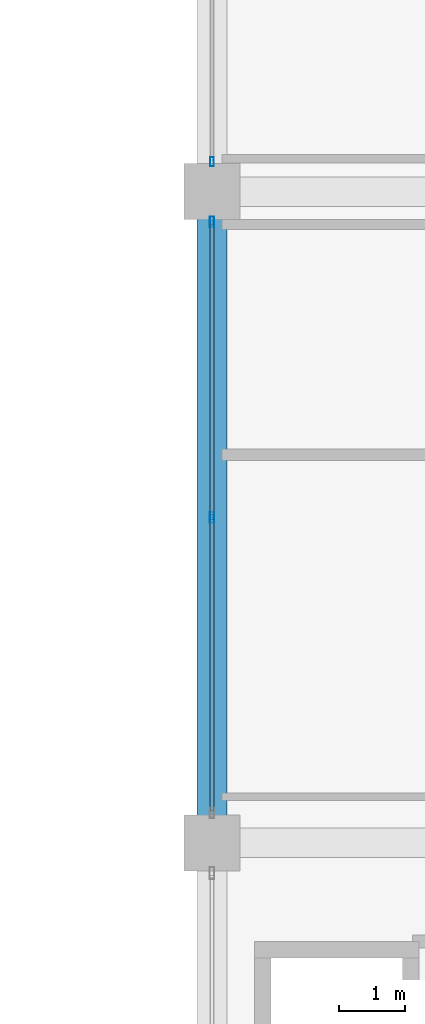
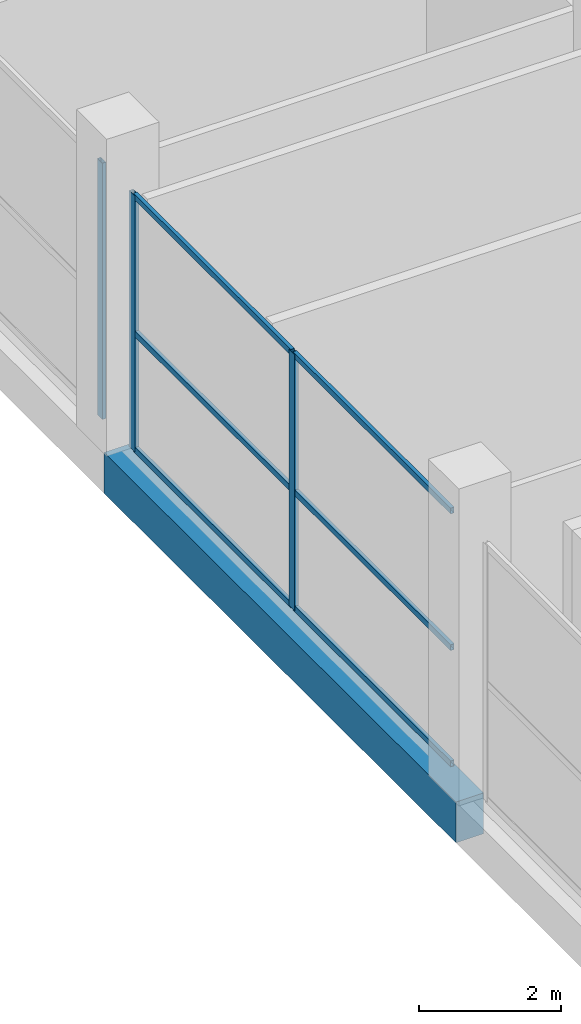
# One storey, part 5 of 74: 9 members, 1 beam, 2 elements without a shape of their own.
"""IFC4 building model written with IfcOpenShell, lengths in metres."""

from ifc_helpers import new_model, si_unit, direction, frame, origin, origin_2d, place, context, subcontext, project, spatial, rectangle, hollow_rectangle, extrude, material, layer, layer_set, material_profile, profile_set, type_object, element, aggregate, save


model = new_model("IFC4")

# Units and contexts
model_context = context("Model", 3, precision=1e-05, world=origin(), true_north=direction((0.0, 1.0)))
body_context = subcontext(model_context, "Body", "Model", "MODEL_VIEW")
ifc_project = project(units=[si_unit("LENGTHUNIT", "METRE"), si_unit("AREAUNIT", "SQUARE_METRE"), si_unit("VOLUMEUNIT", "CUBIC_METRE"), si_unit("PLANEANGLEUNIT", "RADIAN"), si_unit("MASSUNIT", "GRAM", prefix="KILO")], contexts=[model_context])

# Site, building, storey
site_placement = place(None, origin())
site = spatial("IfcSite", under=ifc_project, at=site_placement, CompositionType="ELEMENT")
building_placement = place(site_placement, origin())
building = spatial("IfcBuilding", under=site, at=building_placement, Name="Sillaruma Civic Art Gallery", CompositionType="ELEMENT")
storey_placement = place(building_placement, frame((0.0, 0.0, 5.43994140625)))
storey = spatial("IfcBuildingStorey", under=building, at=storey_placement, Name="L01", CompositionType="ELEMENT", Elevation=5.43994140625)

# Beam
ifc_material_1 = material(Name="Concrete H35 (35 MPa)", Category="concrete")
ifc_material_profile_1 = material_profile(ifc_material_1, rectangle(XDim=0.449951171875, YDim=0.699951171875, at=origin_2d()), Name="RCB450x700")
ifc_profile_set_1 = profile_set([ifc_material_profile_1], Name="Concrete H35 (35 MPa)")
beam_type = type_object("IfcBeamType", Name="BM-SPANDREL-RCB450x700", PredefinedType="SPANDREL", material=ifc_profile_set_1)
beam_placement = place(storey_placement, frame((62.0, 49.5, -0.60986328125), z_axis=(0.0, 1.0, 0.0), x_axis=(-1.0, 0.0, 0.0)))
element("IfcBeam", 1, at=beam_placement, inside=storey, type_object=beam_type, Name="Beam BS-03 (L00:F:6-7)", PredefinedType="SPANDREL", context=body_context, shape_type="SweptSolid", body=[
    extrude(rectangle(XDim=0.449951171875, YDim=0.699951171875, at=origin_2d()), origin(), (0.0, 0.0, 1.0), 9.89990234375),
])

# Curtain wall, member
ifc_material_2 = material(Name="Thermally Broken Extruded Aluminium 6063-T6", Category="aluminium")
ifc_layer_1 = layer(ifc_material_2, 0.139892578125, Name="Thermally Broken Extruded Aluminium 6063-T6")
ifc_layer_set_1 = layer_set([ifc_layer_1], Name="Thermally Broken Extruded Aluminium 6063-T6")
curtain_wall_type_1 = type_object("IfcCurtainWallType", Name="CW-UNI-05", PredefinedType="NOTDEFINED", material=ifc_layer_set_1)
curtain_wall_1_placement = place(storey_placement, origin())
curtain_wall_1 = element("IfcCurtainWall", 2, at=curtain_wall_1_placement, inside=storey, type_object=curtain_wall_type_1, Name="Unitised Curtain Wall CW-05 (CW-L01-SPW-5)", PredefinedType="NOTDEFINED")
ifc_material_profile_2 = material_profile(ifc_material_2, hollow_rectangle(XDim=0.06005859375, YDim=0.139892578125, WallThickness=0.00341796875, at=origin_2d()), Name="CWM60x140")
ifc_profile_set_2 = profile_set([ifc_material_profile_2], Name="Thermally Broken Extruded Aluminium 6063-T6")
member_type_1 = type_object("IfcMemberType", Name="MEM-MUL-CWM60x140", PredefinedType="MULLION", material=ifc_profile_set_2)
member_1_placement = place(storey_placement, frame((62.0, 59.85498046875, 0.0), z_axis=(0.0, 0.0, 1.0), x_axis=(-1.0, 0.0, 0.0)))
member_1 = element("IfcMember", 3, at=member_1_placement, type_object=member_type_1, Name="CW-05 mullion 1", PredefinedType="MULLION", context=body_context, shape_type="SweptSolid", body=[
    extrude(hollow_rectangle(XDim=0.06005859375, YDim=0.139892578125, WallThickness=0.00341796875, at=origin_2d()), origin(), (0.0, 0.0, 1.0), 4.400146484375),
])
aggregate(curtain_wall_1, [member_1])

# Curtain wall, members
ifc_layer_2 = layer(ifc_material_2, 0.159912109375, Name="Thermally Broken Extruded Aluminium 6063-T6")
ifc_layer_set_2 = layer_set([ifc_layer_2], Name="Thermally Broken Extruded Aluminium 6063-T6")
curtain_wall_type_2 = type_object("IfcCurtainWallType", Name="CW-UNI-14", PredefinedType="NOTDEFINED", material=ifc_layer_set_2)
curtain_wall_2_placement = place(storey_placement, origin())
curtain_wall_2 = element("IfcCurtainWall", 4, at=curtain_wall_2_placement, inside=storey, type_object=curtain_wall_type_2, Name="Unitised Curtain Wall CW-14 (CW-L01-SPW-4)", PredefinedType="NOTDEFINED")
ifc_material_profile_3 = material_profile(ifc_material_2, hollow_rectangle(XDim=0.06494140625, YDim=0.159912109375, WallThickness=0.00390625, at=origin_2d()), Name="CWM65x160")
ifc_profile_set_3 = profile_set([ifc_material_profile_3], Name="Thermally Broken Extruded Aluminium 6063-T6")
member_type_2 = type_object("IfcMemberType", Name="MEM-MUL-CWM65x160", PredefinedType="MULLION", material=ifc_profile_set_3)
member_2_placement = place(storey_placement, frame((62.0, 54.449951171875, 0.0), z_axis=(0.0, 0.0, 1.0), x_axis=(-1.0, 0.0, 0.0)))
member_2 = element("IfcMember", 5, at=member_2_placement, type_object=member_type_2, Name="CW-14 mullion 2", PredefinedType="MULLION", context=body_context, shape_type="SweptSolid", body=[
    extrude(hollow_rectangle(XDim=0.06494140625, YDim=0.159912109375, WallThickness=0.00390625, at=origin_2d()), origin(), (0.0, 0.0, 1.0), 4.400146484375),
])
member_3_placement = place(storey_placement, frame((62.0, 58.9423828125, 0.0), z_axis=(0.0, 0.0, 1.0), x_axis=(-1.0, 0.0, 0.0)))
member_3 = element("IfcMember", 6, at=member_3_placement, type_object=member_type_2, Name="CW-14 mullion 3", PredefinedType="MULLION", context=body_context, shape_type="SweptSolid", body=[
    extrude(hollow_rectangle(XDim=0.06494140625, YDim=0.159912109375, WallThickness=0.00390625, at=origin_2d()), origin(), (0.0, 0.0, 1.0), 4.400146484375),
])
ifc_material_profile_4 = material_profile(ifc_material_2, hollow_rectangle(XDim=0.06005859375, YDim=0.10009765625, WallThickness=0.003173828125, at=origin_2d()), Name="CWT60x100")
ifc_profile_set_4 = profile_set([ifc_material_profile_4], Name="Thermally Broken Extruded Aluminium 6063-T6")
member_type_3 = type_object("IfcMemberType", Name="MEM-TRN-CWT60x100", PredefinedType="USERDEFINED", material=ifc_profile_set_4)
member_4_placement = place(storey_placement, frame((62.0, 49.989990234375, 0.030029296875), z_axis=(0.0, 1.0, 0.0), x_axis=(-1.0, 0.0, 0.0)))
member_4 = element("IfcMember", 7, at=member_4_placement, type_object=member_type_3, Name="CW-14 transom 1.1", ObjectType="TRANSOM", PredefinedType="USERDEFINED", context=body_context, shape_type="SweptSolid", body=[
    extrude(hollow_rectangle(XDim=0.06005859375, YDim=0.10009765625, WallThickness=0.003173828125, at=origin_2d()), origin(), (0.0, 0.0, 1.0), 4.427490234375),
])
member_5_placement = place(storey_placement, frame((62.0, 49.989990234375, 2.024169921875), z_axis=(0.0, 1.0, 0.0), x_axis=(-1.0, 0.0, 0.0)))
member_5 = element("IfcMember", 8, at=member_5_placement, type_object=member_type_3, Name="CW-14 transom 1.2", ObjectType="TRANSOM", PredefinedType="USERDEFINED", context=body_context, shape_type="SweptSolid", body=[
    extrude(hollow_rectangle(XDim=0.06005859375, YDim=0.10009765625, WallThickness=0.003173828125, at=origin_2d()), origin(), (0.0, 0.0, 1.0), 4.427490234375),
])
member_6_placement = place(storey_placement, frame((62.0, 49.989990234375, 4.3701171875), z_axis=(0.0, 1.0, 0.0), x_axis=(-1.0, 0.0, 0.0)))
member_6 = element("IfcMember", 9, at=member_6_placement, type_object=member_type_3, Name="CW-14 transom 1.3", ObjectType="TRANSOM", PredefinedType="USERDEFINED", context=body_context, shape_type="SweptSolid", body=[
    extrude(hollow_rectangle(XDim=0.06005859375, YDim=0.10009765625, WallThickness=0.003173828125, at=origin_2d()), origin(), (0.0, 0.0, 1.0), 4.427490234375),
])
member_7_placement = place(storey_placement, frame((62.0, 54.482421875, 0.030029296875), z_axis=(0.0, 1.0, 0.0), x_axis=(-1.0, 0.0, 0.0)))
member_7 = element("IfcMember", 10, at=member_7_placement, type_object=member_type_3, Name="CW-14 transom 2.1", ObjectType="TRANSOM", PredefinedType="USERDEFINED", context=body_context, shape_type="SweptSolid", body=[
    extrude(hollow_rectangle(XDim=0.06005859375, YDim=0.10009765625, WallThickness=0.003173828125, at=origin_2d()), origin(), (0.0, 0.0, 1.0), 4.427490234375),
])
member_8_placement = place(storey_placement, frame((62.0, 54.482421875, 2.024169921875), z_axis=(0.0, 1.0, 0.0), x_axis=(-1.0, 0.0, 0.0)))
member_8 = element("IfcMember", 11, at=member_8_placement, type_object=member_type_3, Name="CW-14 transom 2.2", ObjectType="TRANSOM", PredefinedType="USERDEFINED", context=body_context, shape_type="SweptSolid", body=[
    extrude(hollow_rectangle(XDim=0.06005859375, YDim=0.10009765625, WallThickness=0.003173828125, at=origin_2d()), origin(), (0.0, 0.0, 1.0), 4.427490234375),
])
member_9_placement = place(storey_placement, frame((62.0, 54.482421875, 4.3701171875), z_axis=(0.0, 1.0, 0.0), x_axis=(-1.0, 0.0, 0.0)))
member_9 = element("IfcMember", 12, at=member_9_placement, type_object=member_type_3, Name="CW-14 transom 2.3", ObjectType="TRANSOM", PredefinedType="USERDEFINED", context=body_context, shape_type="SweptSolid", body=[
    extrude(hollow_rectangle(XDim=0.06005859375, YDim=0.10009765625, WallThickness=0.003173828125, at=origin_2d()), origin(), (0.0, 0.0, 1.0), 4.427490234375),
])
aggregate(curtain_wall_2, [member_2, member_3, member_4, member_5, member_6, member_7, member_8, member_9])

save(model, "model.ifc")
